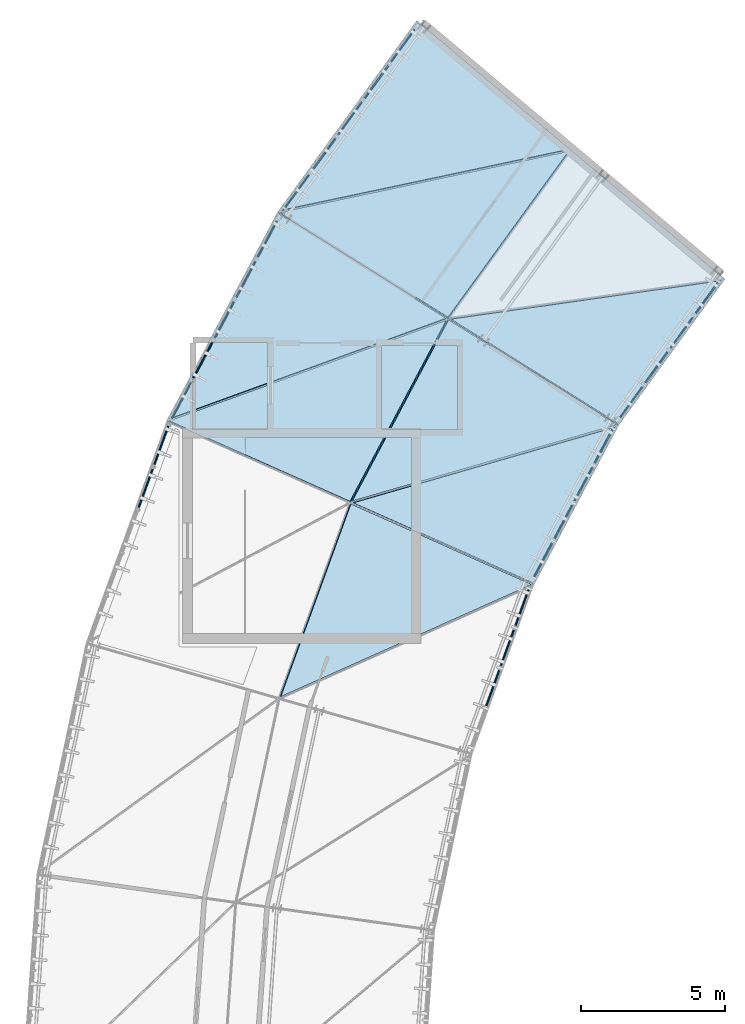
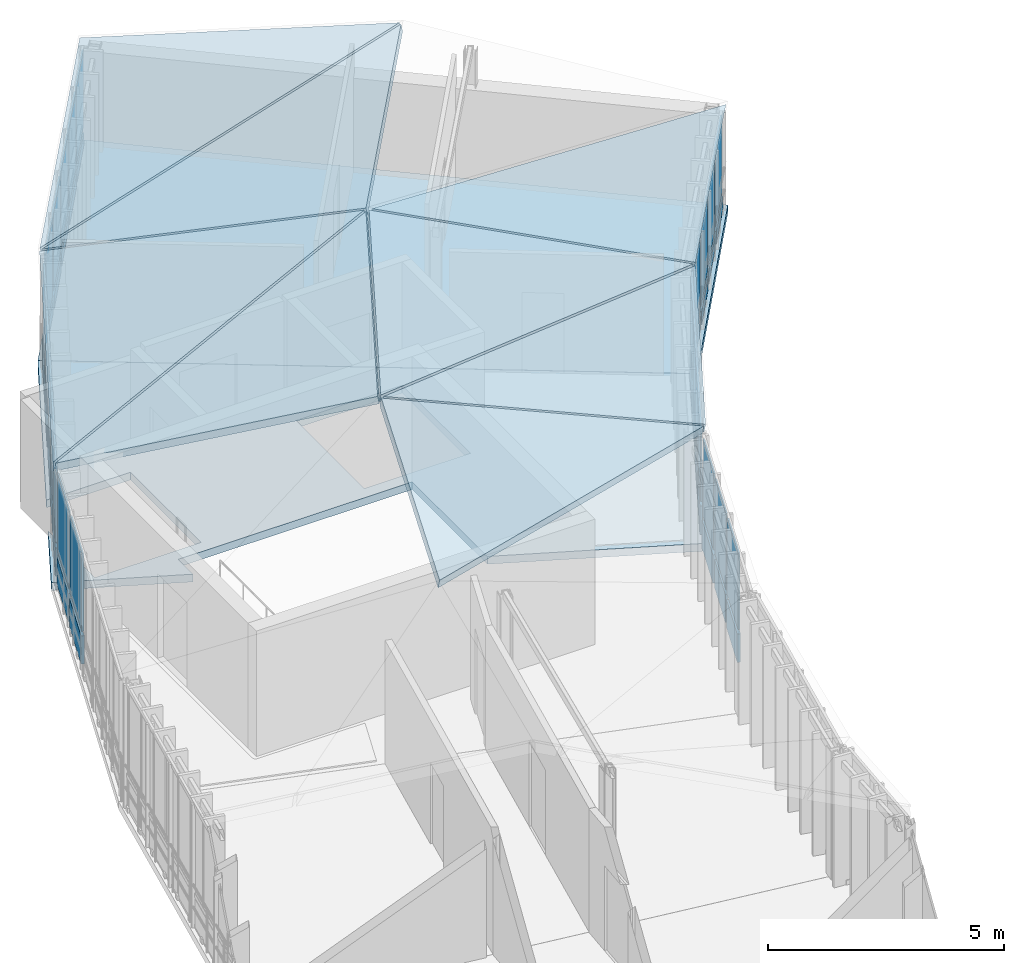
# One storey, part 8 of 18: 46 plates, 10 slabs, 6 elements without a shape of their own.
"""IFC4 building model written with IfcOpenShell, lengths in metres."""

from ifc_helpers import new_model, si_unit, direction, frame, origin, origin_2d, place, context, subcontext, project, spatial, polyline, rectangle, outline, extrude, material, layer, layer_set, type_object, element, aggregate, save


model = new_model("IFC4")

# Units and contexts
model_context = context("Model", 3, precision=1e-05, world=origin(), true_north=direction((0.0, 1.0)))
body_context = subcontext(model_context, "Body", "Model", "MODEL_VIEW")
ifc_project = project(units=[si_unit("LENGTHUNIT", "METRE"), si_unit("AREAUNIT", "SQUARE_METRE"), si_unit("VOLUMEUNIT", "CUBIC_METRE"), si_unit("PLANEANGLEUNIT", "RADIAN"), si_unit("MASSUNIT", "GRAM", prefix="KILO"), si_unit("THERMODYNAMICTEMPERATUREUNIT", "KELVIN"), si_unit("POWERUNIT", "WATT")], contexts=[model_context])

# Site, building, storey
site_placement = place(None, origin())
site = spatial("IfcSite", under=ifc_project, at=site_placement, CompositionType="ELEMENT")
building_placement = place(site_placement, origin())
building = spatial("IfcBuilding", under=site, at=building_placement, Name="Solvatero Civic Police Headquarters", CompositionType="ELEMENT")
storey_placement = place(building_placement, frame((0.0, 0.0, 29.39990234375)))
storey = spatial("IfcBuildingStorey", under=building, at=storey_placement, Name="L07", CompositionType="ELEMENT", Elevation=29.39990234375)

# Curtain wall, plates
ifc_material_1 = material(Name="Anodized Bronze Aluminium", Category="aluminium")
ifc_layer_1 = layer(ifc_material_1, 0.179931640625)
ifc_layer_set_1 = layer_set([ifc_layer_1], Name="Anodized Bronze Aluminium")
curtain_wall_type_1 = type_object("IfcCurtainWallType", Name="CW-ARC-OUT", PredefinedType="USERDEFINED", material=ifc_layer_set_1)
curtain_wall_1_placement = place(storey_placement, origin())
curtain_wall_1 = element("IfcCurtainWall", 1, at=curtain_wall_1_placement, inside=storey, type_object=curtain_wall_type_1, Name="Curtain Wall CW-R2-L07-ARC-OUT-B08", ObjectType="UNITISED", PredefinedType="USERDEFINED")
ifc_material_2 = material(Name="Triple Low-E Laminated Glass", Category="glass")
ifc_layer_2 = layer(ifc_material_2, 0.0380859375)
ifc_layer_set_2 = layer_set([ifc_layer_2], Name="Triple Low-E Laminated Glass")
plate_type_1 = type_object("IfcPlateType", Name="CWP-GLZ-38", PredefinedType="CURTAIN_PANEL", material=ifc_layer_set_2)
plate_1_placement = place(storey_placement, frame((48.3203125, 63.055908203125, 0.51025390625), z_axis=(0.0, 0.0, 1.0), x_axis=(-0.587785252292, -0.809016994375, 0.0)))
plate_1 = element("IfcPlate", 2, at=plate_1_placement, type_object=plate_type_1, Name="CW-R2-L07-ARC-OUT-B08 Vision Glazing 1", PredefinedType="CURTAIN_PANEL", context=body_context, shape_type="SweptSolid", body=[
    extrude(rectangle(XDim=1.384521484375, YDim=0.0380859375, at=origin_2d()), origin(), (0.0, 0.0, 1.0), 2.023193359375),
])
plate_2_placement = place(storey_placement, frame((46.481201171875, 60.5244140625, 0.51025390625), z_axis=(0.0, 0.0, 1.0), x_axis=(-0.587785252292, -0.809016994375, 0.0)))
plate_2 = element("IfcPlate", 3, at=plate_2_placement, type_object=plate_type_1, Name="CW-R2-L07-ARC-OUT-B08 Vision Glazing 3", PredefinedType="CURTAIN_PANEL", context=body_context, shape_type="SweptSolid", body=[
    extrude(rectangle(XDim=1.384521484375, YDim=0.0380859375, at=origin_2d()), origin(), (0.0, 0.0, 1.0), 2.023193359375),
])
plate_3_placement = place(storey_placement, frame((44.64208984375, 57.9931640625, 0.51025390625), z_axis=(0.0, 0.0, 1.0), x_axis=(-0.587785252292, -0.809016994375, 0.0)))
plate_3 = element("IfcPlate", 4, at=plate_3_placement, type_object=plate_type_1, Name="CW-R2-L07-ARC-OUT-B08 Vision Glazing 5", PredefinedType="CURTAIN_PANEL", context=body_context, shape_type="SweptSolid", body=[
    extrude(rectangle(XDim=1.384521484375, YDim=0.0380859375, at=origin_2d()), origin(), (0.0, 0.0, 1.0), 2.023193359375),
])

ifc_layer_3 = layer(ifc_material_1, 0.179931640625)
ifc_layer_set_3 = layer_set([ifc_layer_3], Name="Anodized Bronze Aluminium")
curtain_wall_type_2 = type_object("IfcCurtainWallType", Name="CW-ARC-IN", PredefinedType="USERDEFINED", material=ifc_layer_set_3)
curtain_wall_2_placement = place(storey_placement, origin())
curtain_wall_2 = element("IfcCurtainWall", 5, at=curtain_wall_2_placement, inside=storey, type_object=curtain_wall_type_2, Name="Curtain Wall CW-R2-L07-ARC-IN-B08", ObjectType="UNITISED", PredefinedType="USERDEFINED")
plate_4_placement = place(storey_placement, frame((58.0244140625, 53.059814453125, 0.51025390625), z_axis=(0.0, 0.0, 1.0), x_axis=(-0.587785252292, -0.809016994375, 0.0)))
plate_4 = element("IfcPlate", 6, at=plate_4_placement, type_object=plate_type_1, Name="CW-R2-L07-ARC-IN-B08 Vision Glazing 2", PredefinedType="CURTAIN_PANEL", context=body_context, shape_type="SweptSolid", body=[
    extrude(rectangle(XDim=1.311767578125, YDim=0.0380859375, at=origin_2d()), origin(), (0.0, 0.0, 1.0), 1.981689453125),
])
plate_5_placement = place(storey_placement, frame((56.270751953125, 50.64599609375, 0.51025390625), z_axis=(0.0, 0.0, 1.0), x_axis=(-0.587785252292, -0.809016994375, 0.0)))
plate_5 = element("IfcPlate", 7, at=plate_5_placement, type_object=plate_type_1, Name="CW-R2-L07-ARC-IN-B08 Vision Glazing 4", PredefinedType="CURTAIN_PANEL", context=body_context, shape_type="SweptSolid", body=[
    extrude(rectangle(XDim=1.311767578125, YDim=0.0380859375, at=origin_2d()), origin(), (0.0, 0.0, 1.0), 1.981689453125),
])

curtain_wall_3_placement = place(storey_placement, origin())
curtain_wall_3 = element("IfcCurtainWall", 8, at=curtain_wall_3_placement, inside=storey, type_object=curtain_wall_type_1, Name="Curtain Wall CW-R2-L07-ARC-OUT-B09", ObjectType="UNITISED", PredefinedType="USERDEFINED")
plate_6_placement = place(storey_placement, frame((43.601318359375, 56.325927734375, 0.91015625), z_axis=(0.0, 0.0, 1.0), x_axis=(-0.469471562786, -0.882947592859, 0.0)))
plate_6 = element("IfcPlate", 9, at=plate_6_placement, type_object=plate_type_1, Name="CW-R2-L07-ARC-OUT-B09 Vision Glazing 1", PredefinedType="CURTAIN_PANEL", context=body_context, shape_type="SweptSolid", body=[
    extrude(rectangle(XDim=1.41162109375, YDim=0.0380859375, at=origin_2d()), origin(), (0.0, 0.0, 1.0), 1.8232421875),
])
plate_7_placement = place(storey_placement, frame((42.106689453125, 53.51513671875, 0.91015625), z_axis=(0.0, 0.0, 1.0), x_axis=(-0.469471562786, -0.882947592859, 0.0)))
plate_7 = element("IfcPlate", 10, at=plate_7_placement, type_object=plate_type_1, Name="CW-R2-L07-ARC-OUT-B09 Vision Glazing 3", PredefinedType="CURTAIN_PANEL", context=body_context, shape_type="SweptSolid", body=[
    extrude(rectangle(XDim=1.41162109375, YDim=0.0380859375, at=origin_2d()), origin(), (0.0, 0.0, 1.0), 1.8232421875),
])
plate_8_placement = place(storey_placement, frame((40.6123046875, 50.704345703125, 0.91015625), z_axis=(0.0, 0.0, 1.0), x_axis=(-0.469471562786, -0.882947592859, 0.0)))
plate_8 = element("IfcPlate", 11, at=plate_8_placement, type_object=plate_type_1, Name="CW-R2-L07-ARC-OUT-B09 Vision Glazing 5", PredefinedType="CURTAIN_PANEL", context=body_context, shape_type="SweptSolid", body=[
    extrude(rectangle(XDim=1.41162109375, YDim=0.0380859375, at=origin_2d()), origin(), (0.0, 0.0, 1.0), 1.8232421875),
])

curtain_wall_4_placement = place(storey_placement, origin())
curtain_wall_4 = element("IfcCurtainWall", 12, at=curtain_wall_4_placement, inside=storey, type_object=curtain_wall_type_2, Name="Curtain Wall CW-R2-L07-ARC-IN-B09", ObjectType="UNITISED", PredefinedType="USERDEFINED")
plate_9_placement = place(storey_placement, frame((54.608642578125, 47.789306640625, 0.909912109375), z_axis=(0.0, 0.0, 1.0), x_axis=(-0.469486973057, -0.8829393989, 0.0)))
plate_9 = element("IfcPlate", 13, at=plate_9_placement, type_object=plate_type_1, Name="CW-R2-L07-ARC-IN-B09 Vision Glazing 2", PredefinedType="CURTAIN_PANEL", context=body_context, shape_type="SweptSolid", body=[
    extrude(rectangle(XDim=1.311767578125, YDim=0.0380859375, at=origin_2d()), origin(), (0.0, 0.0, 1.0), 1.78173828125),
])
plate_10_placement = place(storey_placement, frame((53.2080078125, 45.1552734375, 0.909912109375), z_axis=(0.0, 0.0, 1.0), x_axis=(-0.469486973057, -0.8829393989, 0.0)))
plate_10 = element("IfcPlate", 14, at=plate_10_placement, type_object=plate_type_1, Name="CW-R2-L07-ARC-IN-B09 Vision Glazing 4", PredefinedType="CURTAIN_PANEL", context=body_context, shape_type="SweptSolid", body=[
    extrude(rectangle(XDim=1.311767578125, YDim=0.0380859375, at=origin_2d()), origin(), (0.0, 0.0, 1.0), 1.78173828125),
])

# Curtain wall, plate
curtain_wall_5_placement = place(storey_placement, origin())
curtain_wall_5 = element("IfcCurtainWall", 15, at=curtain_wall_5_placement, inside=storey, type_object=curtain_wall_type_1, Name="Curtain Wall CW-R2-L07-ARC-OUT-B10", ObjectType="UNITISED", PredefinedType="USERDEFINED")
plate_11_placement = place(storey_placement, frame((39.917724609375, 49.144287109375, 0.91015625), z_axis=(0.0, 0.0, 1.0), x_axis=(-0.342020143326, -0.939692620786, 0.0)))
plate_11 = element("IfcPlate", 16, at=plate_11_placement, type_object=plate_type_1, Name="CW-R2-L07-ARC-OUT-B10 Vision Glazing 1", PredefinedType="CURTAIN_PANEL", context=body_context, shape_type="SweptSolid", body=[
    extrude(rectangle(XDim=1.41162109375, YDim=0.0380859375, at=origin_2d()), origin(), (0.0, 0.0, 1.0), 2.023193359375),
])

curtain_wall_6_placement = place(storey_placement, origin())
curtain_wall_6 = element("IfcCurtainWall", 17, at=curtain_wall_6_placement, inside=storey, type_object=curtain_wall_type_2, Name="Curtain Wall CW-R2-L07-ARC-IN-B10", ObjectType="UNITISED", PredefinedType="USERDEFINED")
plate_12_placement = place(storey_placement, frame((51.95947265625, 42.09521484375, 0.91015625), z_axis=(0.0, 0.0, 1.0), x_axis=(-0.342003742543, -0.93969859002, 0.0)))
plate_12 = element("IfcPlate", 18, at=plate_12_placement, type_object=plate_type_1, Name="CW-R2-L07-ARC-IN-B10 Vision Glazing 2", PredefinedType="CURTAIN_PANEL", context=body_context, shape_type="SweptSolid", body=[
    extrude(rectangle(XDim=1.311767578125, YDim=0.0380859375, at=origin_2d()), origin(), (0.0, 0.0, 1.0), 1.981689453125),
])

# Plate
ifc_material_3 = material(Name="Acoustic Ballistic Laminated Glass", Category="glass")
ifc_layer_4 = layer(ifc_material_3, 0.0439453125)
ifc_layer_set_4 = layer_set([ifc_layer_4], Name="Acoustic Ballistic Laminated Glass")
plate_type_2 = type_object("IfcPlateType", Name="CWP-GLZ-44", PredefinedType="CURTAIN_PANEL", material=ifc_layer_set_4)
plate_13_placement = place(storey_placement, frame((47.400634765625, 61.790283203125, 0.51025390625), z_axis=(0.0, 0.0, 1.0), x_axis=(-0.587785252292, -0.809016994375, 0.0)))
plate_13 = element("IfcPlate", 19, at=plate_13_placement, type_object=plate_type_2, Name="CW-R2-L07-ARC-OUT-B08 Vision Glazing 2", PredefinedType="CURTAIN_PANEL", context=body_context, shape_type="SweptSolid", body=[
    extrude(rectangle(XDim=1.384521484375, YDim=0.0439453125, at=origin_2d()), origin(), (0.0, 0.0, 1.0), 2.023193359375),
])

plate_14_placement = place(storey_placement, frame((45.5615234375, 59.2587890625, 0.51025390625), z_axis=(0.0, 0.0, 1.0), x_axis=(-0.587785252292, -0.809016994375, 0.0)))
plate_14 = element("IfcPlate", 20, at=plate_14_placement, type_object=plate_type_2, Name="CW-R2-L07-ARC-OUT-B08 Vision Glazing 4", PredefinedType="CURTAIN_PANEL", context=body_context, shape_type="SweptSolid", body=[
    extrude(rectangle(XDim=1.384521484375, YDim=0.0439453125, at=origin_2d()), origin(), (0.0, 0.0, 1.0), 2.023193359375),
])

plate_15_placement = place(storey_placement, frame((58.9013671875, 54.2666015625, 0.51025390625), z_axis=(0.0, 0.0, 1.0), x_axis=(-0.587785252292, -0.809016994375, 0.0)))
plate_15 = element("IfcPlate", 21, at=plate_15_placement, type_object=plate_type_2, Name="CW-R2-L07-ARC-IN-B08 Vision Glazing 1", PredefinedType="CURTAIN_PANEL", context=body_context, shape_type="SweptSolid", body=[
    extrude(rectangle(XDim=1.311767578125, YDim=0.0439453125, at=origin_2d()), origin(), (0.0, 0.0, 1.0), 1.981689453125),
])

plate_16_placement = place(storey_placement, frame((57.147705078125, 51.852783203125, 0.51025390625), z_axis=(0.0, 0.0, 1.0), x_axis=(-0.587785252292, -0.809016994375, 0.0)))
plate_16 = element("IfcPlate", 22, at=plate_16_placement, type_object=plate_type_2, Name="CW-R2-L07-ARC-IN-B08 Vision Glazing 3", PredefinedType="CURTAIN_PANEL", context=body_context, shape_type="SweptSolid", body=[
    extrude(rectangle(XDim=1.311767578125, YDim=0.0439453125, at=origin_2d()), origin(), (0.0, 0.0, 1.0), 1.981689453125),
])

plate_17_placement = place(storey_placement, frame((42.85400390625, 54.92041015625, 0.91015625), z_axis=(0.0, 0.0, 1.0), x_axis=(-0.469471562786, -0.882947592859, 0.0)))
plate_17 = element("IfcPlate", 23, at=plate_17_placement, type_object=plate_type_2, Name="CW-R2-L07-ARC-OUT-B09 Vision Glazing 2", PredefinedType="CURTAIN_PANEL", context=body_context, shape_type="SweptSolid", body=[
    extrude(rectangle(XDim=1.41162109375, YDim=0.0439453125, at=origin_2d()), origin(), (0.0, 0.0, 1.0), 1.8232421875),
])

plate_18_placement = place(storey_placement, frame((41.359619140625, 52.10986328125, 0.91015625), z_axis=(0.0, 0.0, 1.0), x_axis=(-0.469471562786, -0.882947592859, 0.0)))
plate_18 = element("IfcPlate", 24, at=plate_18_placement, type_object=plate_type_2, Name="CW-R2-L07-ARC-OUT-B09 Vision Glazing 4", PredefinedType="CURTAIN_PANEL", context=body_context, shape_type="SweptSolid", body=[
    extrude(rectangle(XDim=1.41162109375, YDim=0.0439453125, at=origin_2d()), origin(), (0.0, 0.0, 1.0), 1.8232421875),
])

plate_19_placement = place(storey_placement, frame((55.308837890625, 49.1064453125, 0.909912109375), z_axis=(0.0, 0.0, 1.0), x_axis=(-0.469486973057, -0.8829393989, 0.0)))
plate_19 = element("IfcPlate", 25, at=plate_19_placement, type_object=plate_type_2, Name="CW-R2-L07-ARC-IN-B09 Vision Glazing 1", PredefinedType="CURTAIN_PANEL", context=body_context, shape_type="SweptSolid", body=[
    extrude(rectangle(XDim=1.311767578125, YDim=0.0439453125, at=origin_2d()), origin(), (0.0, 0.0, 1.0), 1.78173828125),
])

plate_20_placement = place(storey_placement, frame((53.908203125, 46.472412109375, 0.909912109375), z_axis=(0.0, 0.0, 1.0), x_axis=(-0.469486973057, -0.8829393989, 0.0)))
plate_20 = element("IfcPlate", 26, at=plate_20_placement, type_object=plate_type_2, Name="CW-R2-L07-ARC-IN-B09 Vision Glazing 3", PredefinedType="CURTAIN_PANEL", context=body_context, shape_type="SweptSolid", body=[
    extrude(rectangle(XDim=1.311767578125, YDim=0.0439453125, at=origin_2d()), origin(), (0.0, 0.0, 1.0), 1.78173828125),
])

plate_21_placement = place(storey_placement, frame((39.373291015625, 47.648681640625, 0.91015625), z_axis=(0.0, 0.0, 1.0), x_axis=(-0.342020143326, -0.939692620786, 0.0)))
plate_21 = element("IfcPlate", 27, at=plate_21_placement, type_object=plate_type_2, Name="CW-R2-L07-ARC-OUT-B10 Vision Glazing 2", PredefinedType="CURTAIN_PANEL", context=body_context, shape_type="SweptSolid", body=[
    extrude(rectangle(XDim=1.41162109375, YDim=0.0439453125, at=origin_2d()), origin(), (0.0, 0.0, 1.0), 2.023193359375),
])

plate_22_placement = place(storey_placement, frame((52.469482421875, 43.4970703125, 0.91015625), z_axis=(0.0, 0.0, 1.0), x_axis=(-0.342003742543, -0.93969859002, 0.0)))
plate_22 = element("IfcPlate", 28, at=plate_22_placement, type_object=plate_type_2, Name="CW-R2-L07-ARC-IN-B10 Vision Glazing 1", PredefinedType="CURTAIN_PANEL", context=body_context, shape_type="SweptSolid", body=[
    extrude(rectangle(XDim=1.311767578125, YDim=0.0439453125, at=origin_2d()), origin(), (0.0, 0.0, 1.0), 1.981689453125),
])

plate_23_placement = place(storey_placement, frame((51.44921875, 40.693603515625, 0.91015625), z_axis=(0.0, 0.0, 1.0), x_axis=(-0.342003742543, -0.93969859002, 0.0)))
plate_23 = element("IfcPlate", 29, at=plate_23_placement, type_object=plate_type_2, Name="CW-R2-L07-ARC-IN-B10 Vision Glazing 3", PredefinedType="CURTAIN_PANEL", context=body_context, shape_type="SweptSolid", body=[
    extrude(rectangle(XDim=1.311767578125, YDim=0.0439453125, at=origin_2d()), origin(), (0.0, 0.0, 1.0), 1.981689453125),
])

ifc_material_4 = material(Name="Insulated Bronze Aluminium Spandrel", Category="aluminium")
ifc_layer_5 = layer(ifc_material_4, 0.06005859375)
ifc_layer_set_5 = layer_set([ifc_layer_5], Name="Insulated Bronze Aluminium Spandrel")
plate_type_3 = type_object("IfcPlateType", Name="CWP-SPN-60", PredefinedType="CURTAIN_PANEL", material=ifc_layer_set_5)
plate_24_placement = place(storey_placement, frame((48.3203125, 63.055908203125, 0.06005859375), z_axis=(0.0, 0.0, 1.0), x_axis=(-0.587785252292, -0.809016994375, 0.0)))
plate_24 = element("IfcPlate", 30, at=plate_24_placement, type_object=plate_type_3, Name="CW-R2-L07-ARC-OUT-B08 Spandrel Panel 1", PredefinedType="CURTAIN_PANEL", context=body_context, shape_type="SweptSolid", body=[
    extrude(rectangle(XDim=1.384521484375, YDim=0.06005859375, at=origin_2d()), origin(), (0.0, 0.0, 1.0), 0.330078125),
])

plate_25_placement = place(storey_placement, frame((46.481201171875, 60.5244140625, 0.06005859375), z_axis=(0.0, 0.0, 1.0), x_axis=(-0.587785252292, -0.809016994375, 0.0)))
plate_25 = element("IfcPlate", 31, at=plate_25_placement, type_object=plate_type_3, Name="CW-R2-L07-ARC-OUT-B08 Spandrel Panel 3", PredefinedType="CURTAIN_PANEL", context=body_context, shape_type="SweptSolid", body=[
    extrude(rectangle(XDim=1.384521484375, YDim=0.06005859375, at=origin_2d()), origin(), (0.0, 0.0, 1.0), 0.330078125),
])

plate_26_placement = place(storey_placement, frame((44.64208984375, 57.9931640625, 0.06005859375), z_axis=(0.0, 0.0, 1.0), x_axis=(-0.587785252292, -0.809016994375, 0.0)))
plate_26 = element("IfcPlate", 32, at=plate_26_placement, type_object=plate_type_3, Name="CW-R2-L07-ARC-OUT-B08 Spandrel Panel 5", PredefinedType="CURTAIN_PANEL", context=body_context, shape_type="SweptSolid", body=[
    extrude(rectangle(XDim=1.384521484375, YDim=0.06005859375, at=origin_2d()), origin(), (0.0, 0.0, 1.0), 0.330078125),
])

plate_27_placement = place(storey_placement, frame((58.0244140625, 53.059814453125, 0.06005859375), z_axis=(0.0, 0.0, 1.0), x_axis=(-0.587785252292, -0.809016994375, 0.0)))
plate_27 = element("IfcPlate", 33, at=plate_27_placement, type_object=plate_type_3, Name="CW-R2-L07-ARC-IN-B08 Spandrel Panel 2", PredefinedType="CURTAIN_PANEL", context=body_context, shape_type="SweptSolid", body=[
    extrude(rectangle(XDim=1.311767578125, YDim=0.06005859375, at=origin_2d()), origin(), (0.0, 0.0, 1.0), 0.330078125),
])

plate_28_placement = place(storey_placement, frame((56.270751953125, 50.64599609375, 0.06005859375), z_axis=(0.0, 0.0, 1.0), x_axis=(-0.587785252292, -0.809016994375, 0.0)))
plate_28 = element("IfcPlate", 34, at=plate_28_placement, type_object=plate_type_3, Name="CW-R2-L07-ARC-IN-B08 Spandrel Panel 4", PredefinedType="CURTAIN_PANEL", context=body_context, shape_type="SweptSolid", body=[
    extrude(rectangle(XDim=1.311767578125, YDim=0.06005859375, at=origin_2d()), origin(), (0.0, 0.0, 1.0), 0.330078125),
])

plate_29_placement = place(storey_placement, frame((43.601318359375, 56.325927734375, 0.06005859375), z_axis=(0.0, 0.0, 1.0), x_axis=(-0.469471562786, -0.882947592859, 0.0)))
plate_29 = element("IfcPlate", 35, at=plate_29_placement, type_object=plate_type_3, Name="CW-R2-L07-ARC-OUT-B09 Spandrel Panel 1", PredefinedType="CURTAIN_PANEL", context=body_context, shape_type="SweptSolid", body=[
    extrude(rectangle(XDim=1.41162109375, YDim=0.06005859375, at=origin_2d()), origin(), (0.0, 0.0, 1.0), 0.72998046875),
])

plate_30_placement = place(storey_placement, frame((42.106689453125, 53.51513671875, 0.06005859375), z_axis=(0.0, 0.0, 1.0), x_axis=(-0.469471562786, -0.882947592859, 0.0)))
plate_30 = element("IfcPlate", 36, at=plate_30_placement, type_object=plate_type_3, Name="CW-R2-L07-ARC-OUT-B09 Spandrel Panel 3", PredefinedType="CURTAIN_PANEL", context=body_context, shape_type="SweptSolid", body=[
    extrude(rectangle(XDim=1.41162109375, YDim=0.06005859375, at=origin_2d()), origin(), (0.0, 0.0, 1.0), 0.72998046875),
])

plate_31_placement = place(storey_placement, frame((40.6123046875, 50.704345703125, 0.06005859375), z_axis=(0.0, 0.0, 1.0), x_axis=(-0.469471562786, -0.882947592859, 0.0)))
plate_31 = element("IfcPlate", 37, at=plate_31_placement, type_object=plate_type_3, Name="CW-R2-L07-ARC-OUT-B09 Spandrel Panel 5", PredefinedType="CURTAIN_PANEL", context=body_context, shape_type="SweptSolid", body=[
    extrude(rectangle(XDim=1.41162109375, YDim=0.06005859375, at=origin_2d()), origin(), (0.0, 0.0, 1.0), 0.72998046875),
])

plate_32_placement = place(storey_placement, frame((54.608642578125, 47.789306640625, 0.06005859375), z_axis=(0.0, 0.0, 1.0), x_axis=(-0.469486973057, -0.8829393989, 0.0)))
plate_32 = element("IfcPlate", 38, at=plate_32_placement, type_object=plate_type_3, Name="CW-R2-L07-ARC-IN-B09 Spandrel Panel 2", PredefinedType="CURTAIN_PANEL", context=body_context, shape_type="SweptSolid", body=[
    extrude(rectangle(XDim=1.311767578125, YDim=0.06005859375, at=origin_2d()), origin(), (0.0, 0.0, 1.0), 0.72998046875),
])

plate_33_placement = place(storey_placement, frame((53.2080078125, 45.1552734375, 0.06005859375), z_axis=(0.0, 0.0, 1.0), x_axis=(-0.469486973057, -0.8829393989, 0.0)))
plate_33 = element("IfcPlate", 39, at=plate_33_placement, type_object=plate_type_3, Name="CW-R2-L07-ARC-IN-B09 Spandrel Panel 4", PredefinedType="CURTAIN_PANEL", context=body_context, shape_type="SweptSolid", body=[
    extrude(rectangle(XDim=1.311767578125, YDim=0.06005859375, at=origin_2d()), origin(), (0.0, 0.0, 1.0), 0.72998046875),
])

plate_34_placement = place(storey_placement, frame((39.917724609375, 49.144287109375, 0.06005859375), z_axis=(0.0, 0.0, 1.0), x_axis=(-0.342020143326, -0.939692620786, 0.0)))
plate_34 = element("IfcPlate", 40, at=plate_34_placement, type_object=plate_type_3, Name="CW-R2-L07-ARC-OUT-B10 Spandrel Panel 1", PredefinedType="CURTAIN_PANEL", context=body_context, shape_type="SweptSolid", body=[
    extrude(rectangle(XDim=1.41162109375, YDim=0.06005859375, at=origin_2d()), origin(), (0.0, 0.0, 1.0), 0.72998046875),
])

plate_35_placement = place(storey_placement, frame((51.95947265625, 42.09521484375, 0.06005859375), z_axis=(0.0, 0.0, 1.0), x_axis=(-0.342003742543, -0.93969859002, 0.0)))
plate_35 = element("IfcPlate", 41, at=plate_35_placement, type_object=plate_type_3, Name="CW-R2-L07-ARC-IN-B10 Spandrel Panel 2", PredefinedType="CURTAIN_PANEL", context=body_context, shape_type="SweptSolid", body=[
    extrude(rectangle(XDim=1.311767578125, YDim=0.06005859375, at=origin_2d()), origin(), (0.0, 0.0, 1.0), 0.72998046875),
])

ifc_material_5 = material(Name="Limestone Veneer Spandrel Panel", Category="masonry")
ifc_layer_6 = layer(ifc_material_5, 0.074951171875)
ifc_layer_set_6 = layer_set([ifc_layer_6], Name="Limestone Veneer Spandrel Panel")
plate_type_4 = type_object("IfcPlateType", Name="CWP-SPN-75", PredefinedType="CURTAIN_PANEL", material=ifc_layer_set_6)
plate_36_placement = place(storey_placement, frame((47.400634765625, 61.790283203125, 0.06005859375), z_axis=(0.0, 0.0, 1.0), x_axis=(-0.587785252292, -0.809016994375, 0.0)))
plate_36 = element("IfcPlate", 42, at=plate_36_placement, type_object=plate_type_4, Name="CW-R2-L07-ARC-OUT-B08 Spandrel Panel 2", PredefinedType="CURTAIN_PANEL", context=body_context, shape_type="SweptSolid", body=[
    extrude(rectangle(XDim=1.384521484375, YDim=0.074951171875, at=origin_2d()), origin(), (0.0, 0.0, 1.0), 0.330078125),
])

plate_37_placement = place(storey_placement, frame((45.5615234375, 59.2587890625, 0.06005859375), z_axis=(0.0, 0.0, 1.0), x_axis=(-0.587785252292, -0.809016994375, 0.0)))
plate_37 = element("IfcPlate", 43, at=plate_37_placement, type_object=plate_type_4, Name="CW-R2-L07-ARC-OUT-B08 Spandrel Panel 4", PredefinedType="CURTAIN_PANEL", context=body_context, shape_type="SweptSolid", body=[
    extrude(rectangle(XDim=1.384521484375, YDim=0.074951171875, at=origin_2d()), origin(), (0.0, 0.0, 1.0), 0.330078125),
])

aggregate(curtain_wall_1, [plate_24, plate_1, plate_36, plate_13, plate_25, plate_2, plate_37, plate_14, plate_26, plate_3])

plate_38_placement = place(storey_placement, frame((58.9013671875, 54.2666015625, 0.06005859375), z_axis=(0.0, 0.0, 1.0), x_axis=(-0.587785252292, -0.809016994375, 0.0)))
plate_38 = element("IfcPlate", 44, at=plate_38_placement, type_object=plate_type_4, Name="CW-R2-L07-ARC-IN-B08 Spandrel Panel 1", PredefinedType="CURTAIN_PANEL", context=body_context, shape_type="SweptSolid", body=[
    extrude(rectangle(XDim=1.311767578125, YDim=0.074951171875, at=origin_2d()), origin(), (0.0, 0.0, 1.0), 0.330078125),
])

plate_39_placement = place(storey_placement, frame((57.147705078125, 51.852783203125, 0.06005859375), z_axis=(0.0, 0.0, 1.0), x_axis=(-0.587785252292, -0.809016994375, 0.0)))
plate_39 = element("IfcPlate", 45, at=plate_39_placement, type_object=plate_type_4, Name="CW-R2-L07-ARC-IN-B08 Spandrel Panel 3", PredefinedType="CURTAIN_PANEL", context=body_context, shape_type="SweptSolid", body=[
    extrude(rectangle(XDim=1.311767578125, YDim=0.074951171875, at=origin_2d()), origin(), (0.0, 0.0, 1.0), 0.330078125),
])

aggregate(curtain_wall_2, [plate_38, plate_15, plate_27, plate_4, plate_39, plate_16, plate_28, plate_5])

plate_40_placement = place(storey_placement, frame((42.85400390625, 54.92041015625, 0.06005859375), z_axis=(0.0, 0.0, 1.0), x_axis=(-0.469471562786, -0.882947592859, 0.0)))
plate_40 = element("IfcPlate", 46, at=plate_40_placement, type_object=plate_type_4, Name="CW-R2-L07-ARC-OUT-B09 Spandrel Panel 2", PredefinedType="CURTAIN_PANEL", context=body_context, shape_type="SweptSolid", body=[
    extrude(rectangle(XDim=1.41162109375, YDim=0.074951171875, at=origin_2d()), origin(), (0.0, 0.0, 1.0), 0.72998046875),
])

plate_41_placement = place(storey_placement, frame((41.359619140625, 52.10986328125, 0.06005859375), z_axis=(0.0, 0.0, 1.0), x_axis=(-0.469471562786, -0.882947592859, 0.0)))
plate_41 = element("IfcPlate", 47, at=plate_41_placement, type_object=plate_type_4, Name="CW-R2-L07-ARC-OUT-B09 Spandrel Panel 4", PredefinedType="CURTAIN_PANEL", context=body_context, shape_type="SweptSolid", body=[
    extrude(rectangle(XDim=1.41162109375, YDim=0.074951171875, at=origin_2d()), origin(), (0.0, 0.0, 1.0), 0.72998046875),
])

aggregate(curtain_wall_3, [plate_29, plate_6, plate_40, plate_17, plate_30, plate_7, plate_41, plate_18, plate_31, plate_8])

plate_42_placement = place(storey_placement, frame((55.308837890625, 49.1064453125, 0.06005859375), z_axis=(0.0, 0.0, 1.0), x_axis=(-0.469486973057, -0.8829393989, 0.0)))
plate_42 = element("IfcPlate", 48, at=plate_42_placement, type_object=plate_type_4, Name="CW-R2-L07-ARC-IN-B09 Spandrel Panel 1", PredefinedType="CURTAIN_PANEL", context=body_context, shape_type="SweptSolid", body=[
    extrude(rectangle(XDim=1.311767578125, YDim=0.074951171875, at=origin_2d()), origin(), (0.0, 0.0, 1.0), 0.72998046875),
])

plate_43_placement = place(storey_placement, frame((53.908203125, 46.472412109375, 0.06005859375), z_axis=(0.0, 0.0, 1.0), x_axis=(-0.469486973057, -0.8829393989, 0.0)))
plate_43 = element("IfcPlate", 49, at=plate_43_placement, type_object=plate_type_4, Name="CW-R2-L07-ARC-IN-B09 Spandrel Panel 3", PredefinedType="CURTAIN_PANEL", context=body_context, shape_type="SweptSolid", body=[
    extrude(rectangle(XDim=1.311767578125, YDim=0.074951171875, at=origin_2d()), origin(), (0.0, 0.0, 1.0), 0.72998046875),
])

aggregate(curtain_wall_4, [plate_42, plate_19, plate_32, plate_9, plate_43, plate_20, plate_33, plate_10])

plate_44_placement = place(storey_placement, frame((39.373291015625, 47.648681640625, 0.06005859375), z_axis=(0.0, 0.0, 1.0), x_axis=(-0.342020143326, -0.939692620786, 0.0)))
plate_44 = element("IfcPlate", 50, at=plate_44_placement, type_object=plate_type_4, Name="CW-R2-L07-ARC-OUT-B10 Spandrel Panel 2", PredefinedType="CURTAIN_PANEL", context=body_context, shape_type="SweptSolid", body=[
    extrude(rectangle(XDim=1.41162109375, YDim=0.074951171875, at=origin_2d()), origin(), (0.0, 0.0, 1.0), 0.72998046875),
])

aggregate(curtain_wall_5, [plate_34, plate_11, plate_44, plate_21])

plate_45_placement = place(storey_placement, frame((52.469482421875, 43.4970703125, 0.06005859375), z_axis=(0.0, 0.0, 1.0), x_axis=(-0.342003742543, -0.93969859002, 0.0)))
plate_45 = element("IfcPlate", 51, at=plate_45_placement, type_object=plate_type_4, Name="CW-R2-L07-ARC-IN-B10 Spandrel Panel 1", PredefinedType="CURTAIN_PANEL", context=body_context, shape_type="SweptSolid", body=[
    extrude(rectangle(XDim=1.311767578125, YDim=0.074951171875, at=origin_2d()), origin(), (0.0, 0.0, 1.0), 0.72998046875),
])

plate_46_placement = place(storey_placement, frame((51.44921875, 40.693603515625, 0.06005859375), z_axis=(0.0, 0.0, 1.0), x_axis=(-0.342003742543, -0.93969859002, 0.0)))
plate_46 = element("IfcPlate", 52, at=plate_46_placement, type_object=plate_type_4, Name="CW-R2-L07-ARC-IN-B10 Spandrel Panel 3", PredefinedType="CURTAIN_PANEL", context=body_context, shape_type="SweptSolid", body=[
    extrude(rectangle(XDim=1.311767578125, YDim=0.074951171875, at=origin_2d()), origin(), (0.0, 0.0, 1.0), 0.72998046875),
])

aggregate(curtain_wall_6, [plate_45, plate_22, plate_35, plate_12, plate_46, plate_23])

# Slabs
ifc_material_6 = material(Name="Concrete C35/45", Category="concrete")
ifc_layer_7 = layer(ifc_material_6, 0.199951171875)
ifc_layer_set_7 = layer_set([ifc_layer_7], Name="Concrete C35/45")
slab_type_1 = type_object("IfcSlabType", Name="SLB-COMP-200", PredefinedType="FLOOR", material=ifc_layer_set_7)
slab_1_placement = place(storey_placement, frame((0.0, 0.0, -0.199951171875)))
element("IfcSlab", 53, at=slab_1_placement, inside=storey, type_object=slab_type_1, Name="L07 Operations Arc Floor Slab Bay 8", PredefinedType="FLOOR", context=body_context, shape_type="SweptSolid", body=[
    extrude(outline(polyline([(48.803466796875, 63.924560546875), (59.528076171875, 54.92529296875), (55.837890625, 49.846435546875), (43.965087890625, 57.26513671875), (48.803466796875, 63.924560546875)])), origin(), (0.0, 0.0, 1.0), 0.199951171875),
])
slab_2_placement = place(storey_placement, frame((0.0, 0.0, -0.199951171875)))
element("IfcSlab", 54, at=slab_2_placement, inside=storey, type_object=slab_type_1, Name="L07 Operations Arc Floor Slab Bay 9", PredefinedType="FLOOR", context=body_context, shape_type="SweptSolid", body=[
    extrude(outline(polyline([(52.890380859375, 44.302978515625), (48.60009765625, 46.21337890625), (48.60009765625, 49.39990234375), (42.860107421875, 49.39990234375), (42.860107421875, 48.76904296875), (40.100830078125, 49.99755859375), (41.0, 51.688720703125), (41.0, 49.699951171875), (43.60009765625, 49.699951171875), (43.60009765625, 52.699951171875), (41.537841796875, 52.699951171875), (43.96435546875, 57.263427734375), (55.8369140625, 49.844482421875), (52.890380859375, 44.302978515625)]), holes=[polyline([(50.199951171875, 49.699951171875), (50.199951171875, 52.60009765625), (47.60009765625, 52.60009765625), (47.60009765625, 49.699951171875), (50.199951171875, 49.699951171875)])]), origin(), (0.0, 0.0, 1.0), 0.199951171875),
])
ifc_layer_8 = layer(ifc_material_6, 0.18994140625)
ifc_layer_set_8 = layer_set([ifc_layer_8], Name="Concrete C35/45")
slab_type_2 = type_object("IfcSlabType", Name="SLB-RF-ARC-190", PredefinedType="ROOF", material=ifc_layer_set_8)
slab_3_placement = place(storey_placement, frame((59.451904296875, 54.87939453125, 2.65869140625), z_axis=(0.159196147451, -0.076869886812, 0.984249768676), x_axis=(-0.587489130488, -0.808604218686, 0.031870661773)))
element("IfcSlab", 55, at=slab_3_placement, inside=storey, type_object=slab_type_2, Name="Operations Arc Rising Roof Slab B8 IN2", PredefinedType="ROOF", context=body_context, shape_type="SweptSolid", body=[
    extrude(outline(polyline([(0.0, 0.0), (6.166586829218541, -2.5673907444456745e-16), (6.684698608955512, -6.961641274864968), (0.0, 0.0)])), origin(), (0.0, 0.0, -1.0), 0.18994140625),
])
slab_4_placement = place(storey_placement, frame((54.08837890625, 59.444091796875, 3.8876953125), z_axis=(-0.127145483373, 0.121955217135, 0.98435814167), x_axis=(-0.97338561108, -0.206111457007, -0.100192412051)))
element("IfcSlab", 56, at=slab_4_placement, inside=storey, type_object=slab_type_2, Name="Operations Arc Rising Roof Slab B8 OUT1", PredefinedType="ROOF", context=body_context, shape_type="SweptSolid", body=[
    extrude(outline(polyline([(0.0, 0.0), (10.317062790362625, -1.6653345369377348e-16), (4.349090363091088, -5.485724571545658), (0.0, 0.0)])), origin(), (0.0, 0.0, -1.0), 0.18994140625),
])
slab_5_placement = place(storey_placement, frame((54.0849609375, 59.37255859375, 3.896240234375), z_axis=(-0.128053001703, 0.126581408664, 0.983656228433), x_axis=(-0.587559285288, -0.808710974812, 0.027579802221)))
element("IfcSlab", 57, at=slab_5_placement, inside=storey, type_object=slab_type_2, Name="Operations Arc Rising Roof Slab B8 OUT2", PredefinedType="ROOF", context=body_context, shape_type="SweptSolid", body=[
    extrude(outline(polyline([(0.0, 0.0), (7.134835201898476, 2.5673907444456745e-16), (7.58074941097455, -6.976274542354293), (0.0, 0.0)])), origin(), (0.0, 0.0, -1.0), 0.18994140625),
])
slab_6_placement = place(storey_placement, frame((55.7529296875, 49.858154296875, 2.865478515625), z_axis=(0.169872672326, -0.059636391803, 0.983659888361), x_axis=(-0.950280178943, -0.274257182051, 0.147480777054)))
element("IfcSlab", 58, at=slab_6_placement, inside=storey, type_object=slab_type_2, Name="Operations Arc Rising Roof Slab B9 IN1", PredefinedType="ROOF", context=body_context, shape_type="SweptSolid", body=[
    extrude(outline(polyline([(0.0, 0.0), (9.66922889280517, -2.7755575615628914e-17), (4.729044029321764, -5.152514811503785), (0.0, 0.0)])), origin(), (0.0, 0.0, -1.0), 0.18994140625),
])
slab_7_placement = place(storey_placement, frame((55.768798828125, 49.790283203125, 2.85888671875), z_axis=(0.168327372896, -0.053990827821, 0.984251434363), x_axis=(-0.469192459872, -0.882522076027, 0.031831131359)))
element("IfcSlab", 59, at=slab_7_placement, inside=storey, type_object=slab_type_2, Name="Operations Arc Rising Roof Slab B9 IN2", PredefinedType="ROOF", context=body_context, shape_type="SweptSolid", body=[
    extrude(outline(polyline([(0.0, 0.0), (6.166575114326642, 4.2327252813834093e-16), (6.684578365262876, -6.961866506407657), (0.0, 0.0)])), origin(), (0.0, 0.0, -1.0), 0.18994140625),
])
slab_8_placement = place(storey_placement, frame((49.822509765625, 53.56396484375, 4.087890625), z_axis=(-0.142891038815, 0.103054118143, 0.984358674346), x_axis=(-0.935237156085, -0.339541987012, -0.100213277232)))
element("IfcSlab", 60, at=slab_8_placement, inside=storey, type_object=slab_type_2, Name="Operations Arc Rising Roof Slab B9 OUT1", PredefinedType="ROOF", context=body_context, shape_type="SweptSolid", body=[
    extrude(outline(polyline([(0.0, 0.0), (10.317350908366397, -5.551115123125783e-16), (4.349352628986314, -5.485600156056356), (0.0, 0.0)])), origin(), (0.0, 0.0, -1.0), 0.18994140625),
])
slab_9_placement = place(storey_placement, frame((49.828857421875, 53.49267578125, 4.09619140625), z_axis=(-0.144389215048, 0.10751068424, 0.983663157464), x_axis=(-0.46929530147, -0.8826104999, 0.027579439518)))
element("IfcSlab", 61, at=slab_9_placement, inside=storey, type_object=slab_type_2, Name="Operations Arc Rising Roof Slab B9 OUT2", PredefinedType="ROOF", context=body_context, shape_type="SweptSolid", body=[
    extrude(outline(polyline([(0.0, 0.0), (7.134929033773911, 4.85722573273506e-17), (7.580946271986595, -6.976417361957356), (0.0, 0.0)])), origin(), (0.0, 0.0, -1.0), 0.18994140625),
])
slab_10_placement = place(storey_placement, frame((52.804931640625, 44.302978515625, 3.0654296875), z_axis=(0.176527392788, -0.03538225292, 0.983659583278), x_axis=(-0.902865994598, -0.403826693073, 0.147502534759)))
element("IfcSlab", 62, at=slab_10_placement, inside=storey, type_object=slab_type_2, Name="Operations Arc Rising Roof Slab B10 IN1", PredefinedType="ROOF", context=body_context, shape_type="SweptSolid", body=[
    extrude(outline(polyline([(0.0, 0.0), (9.66945777292498, 8.326672684688674e-17), (4.729362112872298, -5.152469884873355), (0.0, 0.0)])), origin(), (0.0, 0.0, -1.0), 0.18994140625),
])

save(model, "model.ifc")
